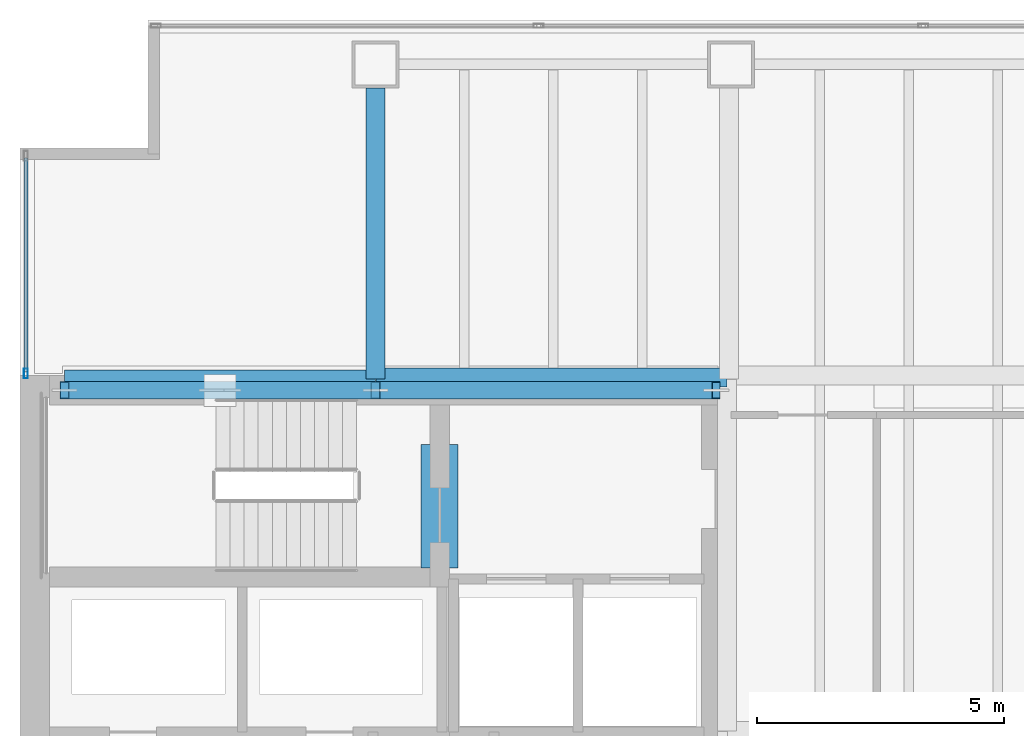
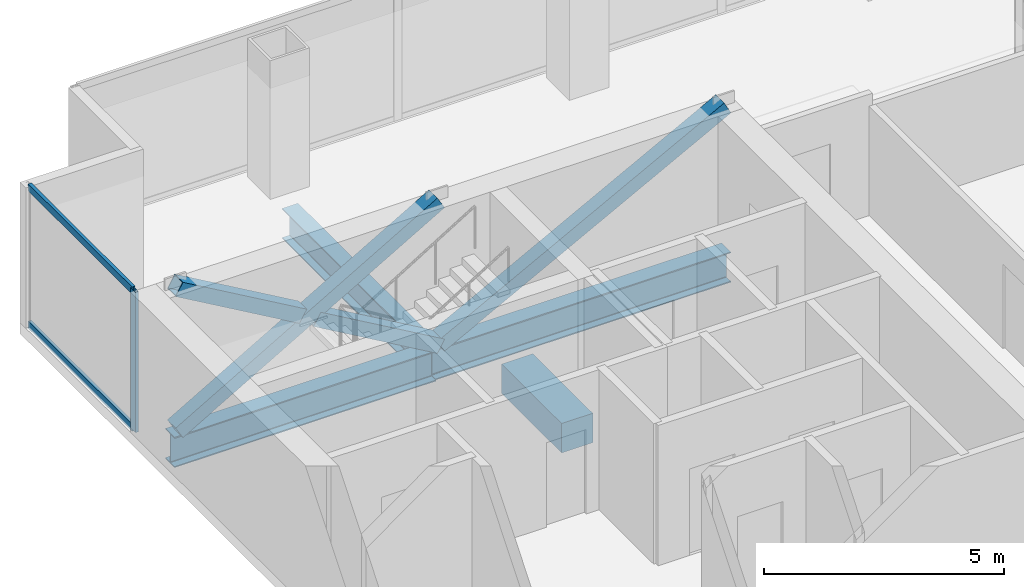
# One storey, part 14 of 24: 7 members, 4 beams, 1 element without a shape of its own.
"""IFC4 building model written with IfcOpenShell, lengths in metres."""

from ifc_helpers import new_model, si_unit, direction, frame, origin, origin_2d, place, context, subcontext, project, spatial, rectangle, hollow_rectangle, i_section, extrude, material, material_profile, profile_set, type_object, element, aggregate, save


model = new_model("IFC4")

# Units and contexts
model_context = context("Model", 3, precision=1e-05, world=origin(), true_north=direction((0.0, 1.0)))
body_context = subcontext(model_context, "Body", "Model", "MODEL_VIEW")
ifc_project = project(units=[si_unit("LENGTHUNIT", "METRE"), si_unit("AREAUNIT", "SQUARE_METRE"), si_unit("VOLUMEUNIT", "CUBIC_METRE"), si_unit("PLANEANGLEUNIT", "RADIAN"), si_unit("MASSUNIT", "GRAM", prefix="KILO")], contexts=[model_context])

# Site, building, storey
site_placement = place(None, origin())
site = spatial("IfcSite", under=ifc_project, at=site_placement, CompositionType="ELEMENT")
building_placement = place(site_placement, origin())
building = spatial("IfcBuilding", under=site, at=building_placement, Name="Cobrela Telecom Tower", CompositionType="ELEMENT")
storey_placement = place(building_placement, frame((0.0, 0.0, 85.050048828125)))
storey = spatial("IfcBuildingStorey", under=building, at=storey_placement, Name="L21", CompositionType="ELEMENT", Elevation=85.050048828125)

# Beams
ifc_material_1 = material(Name="Concrete C40/50", Category="concrete")
ifc_material_profile_1 = material_profile(ifc_material_1, rectangle(XDim=0.75, YDim=0.75, at=origin_2d()), Name="RC 750x750")
ifc_profile_set_1 = profile_set([ifc_material_profile_1], Name="Concrete C40/50")
beam_type_1 = type_object("IfcBeamType", Name="BM-COUP-RC", PredefinedType="LINTEL", material=ifc_profile_set_1)
beam_1_placement = place(storey_placement, frame((8.5, 32.10009765625, -0.630126953125), z_axis=(0.0, 1.0, 0.0), x_axis=(-1.0, 0.0, 0.0)))
element("IfcBeam", 1, at=beam_1_placement, inside=storey, type_object=beam_type_1, Name="L21 Core Coupling Lintel Beam", PredefinedType="LINTEL", context=body_context, shape_type="SweptSolid", body=[
    extrude(rectangle(XDim=0.75, YDim=0.75, at=origin_2d()), origin(), (0.0, 0.0, 1.0), 2.5),
])
ifc_material_2 = material(Name="Steel ASTM A992 Grade 50", Category="steel")
ifc_material_profile_2 = material_profile(ifc_material_2, i_section(OverallWidth=0.381103515625, OverallDepth=0.77197265625, WebThickness=0.0166015625, FlangeThickness=0.027099609375, FilletRadius=0.01904296875, at=origin_2d()), Name="W30X173")
ifc_profile_set_2 = profile_set([ifc_material_profile_2], Name="Steel ASTM A992 Grade 50")
beam_type_2 = type_object("IfcBeamType", Name="BM-GIRD-04", PredefinedType="USERDEFINED", material=ifc_profile_set_2)
beam_2_placement = place(storey_placement, frame((0.905029296875, 35.919921875, -0.666015625), z_axis=(1.0, 0.0, 0.0), x_axis=(0.0, 1.0, 0.0)))
element("IfcBeam", 2, at=beam_2_placement, inside=storey, type_object=beam_type_2, Name="L21 Primary Girder X25", ObjectType="GIRDER", PredefinedType="USERDEFINED", context=body_context, shape_type="SweptSolid", body=[
    extrude(i_section(OverallWidth=0.381103515625, OverallDepth=0.77197265625, WebThickness=0.0166015625, FlangeThickness=0.027099609375, FilletRadius=0.01904296875, at=origin_2d()), origin(), (0.0, 0.0, 1.0), 6.2900390625),
])
beam_3_placement = place(storey_placement, frame((7.205078125, 35.9599609375, -0.666015625), z_axis=(1.0, 0.0, 0.0), x_axis=(0.0, 1.0, 0.0)))
element("IfcBeam", 3, at=beam_3_placement, inside=storey, type_object=beam_type_2, Name="L21 Primary Girder X26", ObjectType="GIRDER", PredefinedType="USERDEFINED", context=body_context, shape_type="SweptSolid", body=[
    extrude(i_section(OverallWidth=0.381103515625, OverallDepth=0.77197265625, WebThickness=0.0166015625, FlangeThickness=0.027099609375, FilletRadius=0.01904296875, at=origin_2d()), origin(), (0.0, 0.0, 1.0), 7.10986328125),
])
beam_4_placement = place(storey_placement, frame((7.199951171875, 35.925048828125, -0.666015625), z_axis=(0.0, 1.0, 0.0), x_axis=(-1.0, 0.0, 0.0)))
element("IfcBeam", 4, at=beam_4_placement, inside=storey, type_object=beam_type_2, Name="L21 Primary Girder Y33", ObjectType="GIRDER", PredefinedType="USERDEFINED", context=body_context, shape_type="SweptSolid", body=[
    extrude(i_section(OverallWidth=0.381103515625, OverallDepth=0.77197265625, WebThickness=0.0166015625, FlangeThickness=0.027099609375, FilletRadius=0.01904296875, at=origin_2d()), origin(), (0.0, 0.0, 1.0), 5.89501953125),
])

# Curtain wall, members
ifc_material_3 = material(Name="Anodized Bronze Aluminium 6063-T6", Category="aluminium")
curtain_wall_type = type_object("IfcCurtainWallType", Name="CW-SYS-DATA", PredefinedType="USERDEFINED", material=ifc_material_3)
curtain_wall_placement = place(storey_placement, origin())
curtain_wall = element("IfcCurtainWall", 5, at=curtain_wall_placement, inside=storey, type_object=curtain_wall_type, Name="L21 Unitised Bronze Curtain Wall 04", ObjectType="UNITISED CURTAIN WALL", PredefinedType="USERDEFINED")
ifc_material_profile_3 = material_profile(ifc_material_3, hollow_rectangle(XDim=0.080078125, YDim=0.199951171875, WallThickness=0.00390625, at=origin_2d()), Name="ALU 80x200x4")
ifc_profile_set_3 = profile_set([ifc_material_profile_3], Name="Anodized Bronze Aluminium 6063-T6")
member_type_1 = type_object("IfcMemberType", Name="CW-SYS-DATA-MUL", PredefinedType="MULLION", material=ifc_profile_set_3)
member_1_placement = place(storey_placement, frame((0.1201171875, 36.0400390625, 0.0), z_axis=(0.0, 0.0, 1.0), x_axis=(-1.0, 0.0, 0.0)))
member_1 = element("IfcMember", 6, at=member_1_placement, type_object=member_type_1, Name="CW-DATA mullion 1", PredefinedType="MULLION", context=body_context, shape_type="SweptSolid", body=[
    extrude(hollow_rectangle(XDim=0.080078125, YDim=0.199951171875, WallThickness=0.00390625, at=origin_2d()), origin(), (0.0, 0.0, 1.0), 3.570068359375),
])
ifc_material_profile_4 = material_profile(ifc_material_3, hollow_rectangle(XDim=0.074951171875, YDim=0.179931640625, WallThickness=0.00390625, at=origin_2d()), Name="ALU 75x180x4")
ifc_profile_set_4 = profile_set([ifc_material_profile_4], Name="Anodized Bronze Aluminium 6063-T6")
member_type_2 = type_object("IfcMemberType", Name="CW-SYS-DATA-TRN", PredefinedType="USERDEFINED", material=ifc_profile_set_4)
member_2_placement = place(storey_placement, frame((0.1201171875, 36.080078125, 0.037353515625), z_axis=(0.0, 1.0, 0.0), x_axis=(-1.0, 0.0, 0.0)))
member_2 = element("IfcMember", 7, at=member_2_placement, type_object=member_type_2, Name="CW-DATA transom 1.1", ObjectType="TRANSOM", PredefinedType="USERDEFINED", context=body_context, shape_type="SweptSolid", body=[
    extrude(hollow_rectangle(XDim=0.074951171875, YDim=0.179931640625, WallThickness=0.00390625, at=origin_2d()), origin(), (0.0, 0.0, 1.0), 4.329833984375),
])
member_3_placement = place(storey_placement, frame((0.1201171875, 36.080078125, 3.532470703125), z_axis=(0.0, 1.0, 0.0), x_axis=(-1.0, 0.0, 0.0)))
member_3 = element("IfcMember", 8, at=member_3_placement, type_object=member_type_2, Name="CW-DATA transom 1.2", ObjectType="TRANSOM", PredefinedType="USERDEFINED", context=body_context, shape_type="SweptSolid", body=[
    extrude(hollow_rectangle(XDim=0.074951171875, YDim=0.179931640625, WallThickness=0.00390625, at=origin_2d()), origin(), (0.0, 0.0, 1.0), 4.329833984375),
])
aggregate(curtain_wall, [member_1, member_2, member_3])

# Members
ifc_material_4 = material(Name="Steel ASTM A572 Grade 50", Category="steel")
ifc_material_profile_5 = material_profile(ifc_material_4, hollow_rectangle(XDim=0.35009765625, YDim=0.35009765625, WallThickness=0.01611328125, at=origin_2d()), Name="HSS 350x350x16")
ifc_profile_set_5 = profile_set([ifc_material_profile_5], Name="Steel ASTM A572 Grade 50")
member_type_3 = type_object("IfcMemberType", Name="MBR-EXO-02", PredefinedType="BRACE", material=ifc_profile_set_5)
member_4_placement = place(storey_placement, frame((0.89990234375, 35.699951171875, -0.0400390625), z_axis=(0.865277025542, 0.0, 0.501293994647), x_axis=(0.0, 1.0, 0.0)))
element("IfcMember", 9, at=member_4_placement, inside=storey, type_object=member_type_3, Name="L21 Core Flange Steel X-Brace Continuous A", PredefinedType="BRACE", context=body_context, shape_type="SweptSolid", body=[
    extrude(hollow_rectangle(XDim=0.35009765625, YDim=0.35009765625, WallThickness=0.01611328125, at=origin_2d()), origin(), (0.0, 0.0, 1.0), 7.281005859375),
])
member_5_placement = place(storey_placement, frame((7.199951171875, 35.699951171875, -0.0400390625), z_axis=(-0.865266106373, 0.0, 0.50131284161), x_axis=(0.0, -1.0, 0.0)))
element("IfcMember", 10, at=member_5_placement, inside=storey, type_object=member_type_3, Name="L21 Core Flange Steel X-Brace Split B1", PredefinedType="BRACE", context=body_context, shape_type="SweptSolid", body=[
    extrude(hollow_rectangle(XDim=0.35009765625, YDim=0.35009765625, WallThickness=0.01611328125, at=origin_2d()), origin(), (0.0, 0.0, 1.0), 3.444580078125),
])
member_6_placement = place(storey_placement, frame((3.88037109375, 35.699951171875, 1.88330078125), z_axis=(-0.865296850073, 0.0, 0.501259774223), x_axis=(0.0, -1.0, 0.0)))
element("IfcMember", 11, at=member_6_placement, inside=storey, type_object=member_type_3, Name="L21 Core Flange Steel X-Brace Split B2", PredefinedType="BRACE", context=body_context, shape_type="SweptSolid", body=[
    extrude(hollow_rectangle(XDim=0.35009765625, YDim=0.35009765625, WallThickness=0.01611328125, at=origin_2d()), origin(), (0.0, 0.0, 1.0), 3.4443359375),
])
member_7_placement = place(storey_placement, frame((7.199951171875, 35.699951171875, -0.0400390625), z_axis=(0.883952947778, 0.0, 0.467575861348), x_axis=(0.0, 1.0, 0.0)))
element("IfcMember", 12, at=member_7_placement, inside=storey, type_object=member_type_3, Name="L21 Core Flange Steel Brace N2", PredefinedType="BRACE", context=body_context, shape_type="SweptSolid", body=[
    extrude(hollow_rectangle(XDim=0.35009765625, YDim=0.35009765625, WallThickness=0.01611328125, at=origin_2d()), origin(), (0.0, 0.0, 1.0), 7.805908203125),
])

save(model, "model.ifc")
